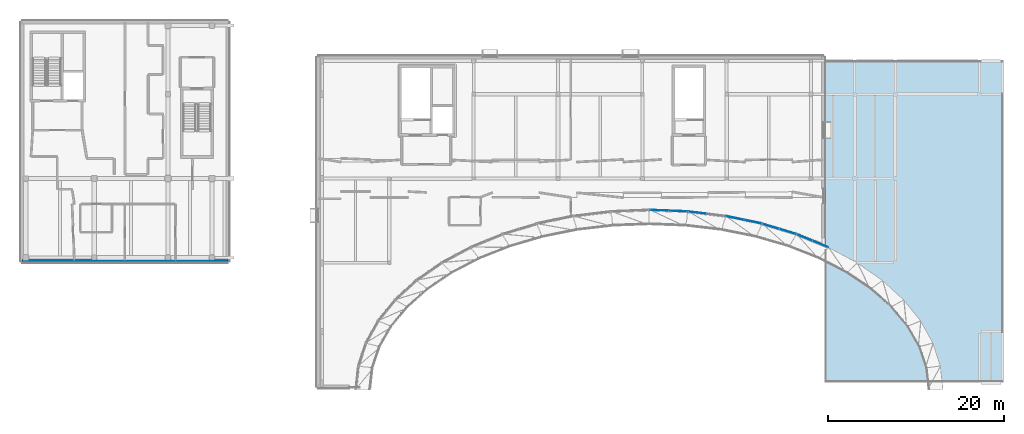
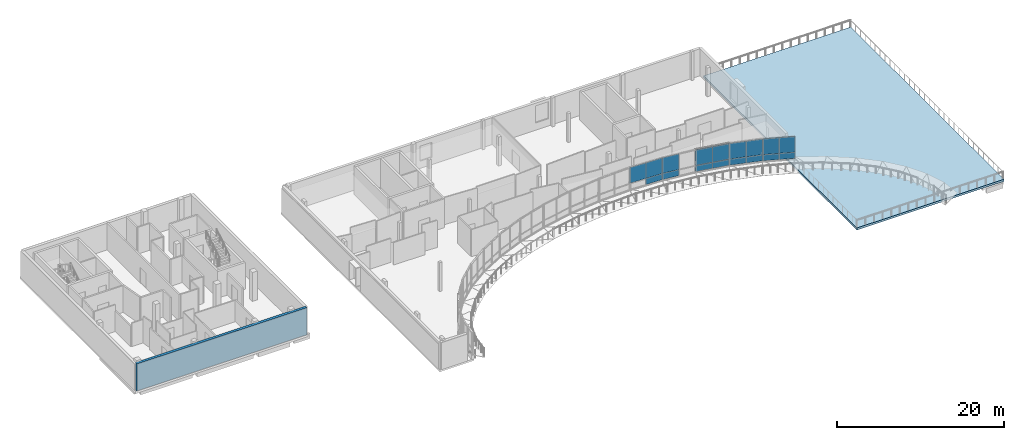
# One storey, part 10 of 18: 17 plates, 1 slab, 1 wall, 5 elements without a shape of their own.
"""IFC4 building model written with IfcOpenShell, lengths in metres."""

from ifc_helpers import new_model, si_unit, direction, frame, frame_2d, origin, origin_2d, place, context, subcontext, project, spatial, polyline, rectangle, outline, extrude, material, layer, layer_set, type_object, element, aggregate, save


model = new_model("IFC4")

# Units and contexts
model_context = context("Model", 3, precision=1e-05, world=origin(), true_north=direction((0.0, 1.0)))
body_context = subcontext(model_context, "Body", "Model", "MODEL_VIEW")
ifc_project = project(units=[si_unit("LENGTHUNIT", "METRE"), si_unit("AREAUNIT", "SQUARE_METRE"), si_unit("VOLUMEUNIT", "CUBIC_METRE"), si_unit("PLANEANGLEUNIT", "RADIAN"), si_unit("MASSUNIT", "GRAM", prefix="KILO")], contexts=[model_context])

# Site, building, storey
site_placement = place(None, origin())
site = spatial("IfcSite", under=ifc_project, at=site_placement, CompositionType="ELEMENT")
building_placement = place(site_placement, origin())
building = spatial("IfcBuilding", under=site, at=building_placement, Name="Mzevani Central Library", CompositionType="ELEMENT")
storey_placement = place(building_placement, frame((0.0, 0.0, 18.300048828125)))
storey = spatial("IfcBuildingStorey", under=building, at=storey_placement, Name="L04", CompositionType="ELEMENT", Elevation=18.300048828125)

# Curtain wall, plates
ifc_material_1 = material(Name="Thermally broken aluminium and Low-E triple glazing", Category="aluminium")
curtain_wall_type_1 = type_object("IfcCurtainWallType", Name="Elliptical Court Unitised Curtain Wall", PredefinedType="NOTDEFINED", material=ifc_material_1)
curtain_wall_1_placement = place(storey_placement, origin())
curtain_wall_1 = element("IfcCurtainWall", 1, at=curtain_wall_1_placement, inside=storey, type_object=curtain_wall_type_1, Name="L04 Elliptical Court Curtain Wall 8", PredefinedType="NOTDEFINED")
ifc_material_2 = material(Name="Thermally broken aluminium AW-6060", Category="aluminium")
ifc_layer_1 = layer(ifc_material_2, 0.0419921875, Name="CW Insulated Spandrel Panel 42")
ifc_layer_set_1 = layer_set([ifc_layer_1], Name="Thermally broken aluminium AW-6060")
plate_type_1 = type_object("IfcPlateType", Name="CW Insulated Spandrel Panel 42", PredefinedType="CURTAIN_PANEL", material=ifc_layer_set_1)
plate_1_placement = place(storey_placement, frame((103.470703125, 92.55078125, 0.719970703125), z_axis=(0.0, 0.0, 1.0), x_axis=(-0.926299293314, 0.376788560345, 0.0)))
plate_1 = element("IfcPlate", 2, at=plate_1_placement, type_object=plate_type_1, Name="L04 Elliptical Court Curtain Wall 8 Spandrel Panel 1", PredefinedType="CURTAIN_PANEL", context=body_context, shape_type="SweptSolid", body=[
    extrude(rectangle(XDim=1.94921875, YDim=0.0419921875, at=origin_2d()), origin(), (0.0, 0.0, 1.0), 0.89990234375),
])
plate_2_placement = place(storey_placement, frame((101.665283203125, 93.285400390625, 0.719970703125), z_axis=(0.0, 0.0, 1.0), x_axis=(-0.926299293314, 0.376788560345, 0.0)))
plate_2 = element("IfcPlate", 3, at=plate_2_placement, type_object=plate_type_1, Name="L04 Elliptical Court Curtain Wall 8 Spandrel Panel 3", PredefinedType="CURTAIN_PANEL", context=body_context, shape_type="SweptSolid", body=[
    extrude(rectangle(XDim=1.94921875, YDim=0.0419921875, at=origin_2d()), origin(), (0.0, 0.0, 1.0), 0.89990234375),
])

curtain_wall_2_placement = place(storey_placement, origin())
curtain_wall_2 = element("IfcCurtainWall", 4, at=curtain_wall_2_placement, inside=storey, type_object=curtain_wall_type_1, Name="L04 Elliptical Court Curtain Wall 9", PredefinedType="NOTDEFINED")
plate_3_placement = place(storey_placement, frame((99.764892578125, 93.967529296875, 0.719970703125), z_axis=(0.0, 0.0, 1.0), x_axis=(-0.957763292964, 0.287557776197, 0.0)))
plate_3 = element("IfcPlate", 5, at=plate_3_placement, type_object=plate_type_1, Name="L04 Elliptical Court Curtain Wall 9 Spandrel Panel 1", PredefinedType="CURTAIN_PANEL", context=body_context, shape_type="SweptSolid", body=[
    extrude(rectangle(XDim=2.033203125, YDim=0.0419921875, at=origin_2d()), origin(), (0.0, 0.0, 1.0), 0.89990234375),
])
plate_4_placement = place(storey_placement, frame((97.8173828125, 94.55224609375, 0.719970703125), z_axis=(0.0, 0.0, 1.0), x_axis=(-0.957763292964, 0.287557776197, 0.0)))
plate_4 = element("IfcPlate", 6, at=plate_4_placement, type_object=plate_type_1, Name="L04 Elliptical Court Curtain Wall 9 Spandrel Panel 3", PredefinedType="CURTAIN_PANEL", context=body_context, shape_type="SweptSolid", body=[
    extrude(rectangle(XDim=2.033203125, YDim=0.0419921875, at=origin_2d()), origin(), (0.0, 0.0, 1.0), 0.89990234375),
])

curtain_wall_type_2 = type_object("IfcCurtainWallType", Name="Reading Hall Northlight Curtain Wall", PredefinedType="NOTDEFINED", material=ifc_material_1)
curtain_wall_3_placement = place(storey_placement, origin())
curtain_wall_3 = element("IfcCurtainWall", 7, at=curtain_wall_3_placement, inside=storey, type_object=curtain_wall_type_2, Name="L04 Elliptical Court Curtain Wall 10", PredefinedType="NOTDEFINED")
plate_5_placement = place(storey_placement, frame((95.7841796875, 95.078369140625, 0.719970703125), z_axis=(0.0, 0.0, 1.0), x_axis=(-0.979308727686, 0.202371974041, 0.0)))
plate_5 = element("IfcPlate", 8, at=plate_5_placement, type_object=plate_type_1, Name="L04 Elliptical Court Curtain Wall 10 Spandrel Panel 1", PredefinedType="CURTAIN_PANEL", context=body_context, shape_type="SweptSolid", body=[
    extrude(rectangle(XDim=2.099609375, YDim=0.0419921875, at=origin_2d()), origin(), (0.0, 0.0, 1.0), 0.89990234375),
])
plate_6_placement = place(storey_placement, frame((93.72802734375, 95.503173828125, 0.719970703125), z_axis=(0.0, 0.0, 1.0), x_axis=(-0.979308727686, 0.202371974041, 0.0)))
plate_6 = element("IfcPlate", 9, at=plate_6_placement, type_object=plate_type_1, Name="L04 Elliptical Court Curtain Wall 10 Spandrel Panel 3", PredefinedType="CURTAIN_PANEL", context=body_context, shape_type="SweptSolid", body=[
    extrude(rectangle(XDim=2.099609375, YDim=0.0419921875, at=origin_2d()), origin(), (0.0, 0.0, 1.0), 0.89990234375),
])

# Curtain wall, plate
curtain_wall_4_placement = place(storey_placement, origin())
curtain_wall_4 = element("IfcCurtainWall", 10, at=curtain_wall_4_placement, inside=storey, type_object=curtain_wall_type_1, Name="L04 Elliptical Court Curtain Wall 11", PredefinedType="NOTDEFINED")
plate_7_placement = place(storey_placement, frame((89.466552734375, 96.11962890625, 0.719970703125), z_axis=(0.0, 0.0, 1.0), x_axis=(-0.99274706406, 0.120221740128, 0.0)))
plate_7 = element("IfcPlate", 11, at=plate_7_placement, type_object=plate_type_1, Name="L04 Elliptical Court Curtain Wall 11 Spandrel Panel 3", PredefinedType="CURTAIN_PANEL", context=body_context, shape_type="SweptSolid", body=[
    extrude(rectangle(XDim=2.145263671875, YDim=0.0419921875, at=origin_2d()), origin(), (0.0, 0.0, 1.0), 0.89990234375),
])

curtain_wall_5_placement = place(storey_placement, origin())
curtain_wall_5 = element("IfcCurtainWall", 12, at=curtain_wall_5_placement, inside=storey, type_object=curtain_wall_type_1, Name="L04 Elliptical Court Curtain Wall 12", PredefinedType="NOTDEFINED")
plate_8_placement = place(storey_placement, frame((87.273681640625, 96.30126953125, 0.719970703125), z_axis=(0.0, 0.0, 1.0), x_axis=(-0.999205006518, 0.039866714796, 0.0)))
plate_8 = element("IfcPlate", 13, at=plate_8_placement, type_object=plate_type_1, Name="L04 Elliptical Court Curtain Wall 12 Spandrel Panel 1", PredefinedType="CURTAIN_PANEL", context=body_context, shape_type="SweptSolid", body=[
    extrude(rectangle(XDim=2.16845703125, YDim=0.0419921875, at=origin_2d()), origin(), (0.0, 0.0, 1.0), 0.89990234375),
])

# Plate
ifc_material_3 = material(Name="Low-E triple glazing glass", Category="glass")
ifc_layer_2 = layer(ifc_material_3, 0.028076171875, Name="CW Triple Glazed Vision Panel 28")
ifc_layer_set_2 = layer_set([ifc_layer_2], Name="Low-E triple glazing glass")
plate_type_2 = type_object("IfcPlateType", Name="CW Triple Glazed Vision Panel 28", PredefinedType="CURTAIN_PANEL", material=ifc_layer_set_2)
plate_9_placement = place(storey_placement, frame((103.470703125, 92.55078125, 1.6201171875), z_axis=(0.0, 0.0, 1.0), x_axis=(-0.926299293314, 0.376788560345, 0.0)))
plate_9 = element("IfcPlate", 14, at=plate_9_placement, type_object=plate_type_2, Name="L04 Elliptical Court Curtain Wall 8 Vision Panel 2", PredefinedType="CURTAIN_PANEL", context=body_context, shape_type="SweptSolid", body=[
    extrude(rectangle(XDim=1.94921875, YDim=0.028076171875, at=origin_2d()), origin(), (0.0, 0.0, 1.0), 2.300048828125),
])

plate_10_placement = place(storey_placement, frame((101.665283203125, 93.285400390625, 1.6201171875), z_axis=(0.0, 0.0, 1.0), x_axis=(-0.926299293314, 0.376788560345, 0.0)))
plate_10 = element("IfcPlate", 15, at=plate_10_placement, type_object=plate_type_2, Name="L04 Elliptical Court Curtain Wall 8 Vision Panel 4", PredefinedType="CURTAIN_PANEL", context=body_context, shape_type="SweptSolid", body=[
    extrude(rectangle(XDim=1.94921875, YDim=0.028076171875, at=origin_2d()), origin(), (0.0, 0.0, 1.0), 2.300048828125),
])

aggregate(curtain_wall_1, [plate_1, plate_9, plate_2, plate_10])

plate_11_placement = place(storey_placement, frame((99.764892578125, 93.967529296875, 1.6201171875), z_axis=(0.0, 0.0, 1.0), x_axis=(-0.957763292964, 0.287557776197, 0.0)))
plate_11 = element("IfcPlate", 16, at=plate_11_placement, type_object=plate_type_2, Name="L04 Elliptical Court Curtain Wall 9 Vision Panel 2", PredefinedType="CURTAIN_PANEL", context=body_context, shape_type="SweptSolid", body=[
    extrude(rectangle(XDim=2.033203125, YDim=0.028076171875, at=origin_2d()), origin(), (0.0, 0.0, 1.0), 2.300048828125),
])

plate_12_placement = place(storey_placement, frame((97.8173828125, 94.55224609375, 1.6201171875), z_axis=(0.0, 0.0, 1.0), x_axis=(-0.957763292964, 0.287557776197, 0.0)))
plate_12 = element("IfcPlate", 17, at=plate_12_placement, type_object=plate_type_2, Name="L04 Elliptical Court Curtain Wall 9 Vision Panel 4", PredefinedType="CURTAIN_PANEL", context=body_context, shape_type="SweptSolid", body=[
    extrude(rectangle(XDim=2.033203125, YDim=0.028076171875, at=origin_2d()), origin(), (0.0, 0.0, 1.0), 2.300048828125),
])

aggregate(curtain_wall_2, [plate_3, plate_11, plate_4, plate_12])

plate_13_placement = place(storey_placement, frame((95.7841796875, 95.078369140625, 1.6201171875), z_axis=(0.0, 0.0, 1.0), x_axis=(-0.979308727686, 0.202371974041, 0.0)))
plate_13 = element("IfcPlate", 18, at=plate_13_placement, type_object=plate_type_2, Name="L04 Elliptical Court Curtain Wall 10 Vision Panel 2", PredefinedType="CURTAIN_PANEL", context=body_context, shape_type="SweptSolid", body=[
    extrude(rectangle(XDim=2.099609375, YDim=0.028076171875, at=origin_2d()), origin(), (0.0, 0.0, 1.0), 2.300048828125),
])

plate_14_placement = place(storey_placement, frame((93.72802734375, 95.503173828125, 1.6201171875), z_axis=(0.0, 0.0, 1.0), x_axis=(-0.979308727686, 0.202371974041, 0.0)))
plate_14 = element("IfcPlate", 19, at=plate_14_placement, type_object=plate_type_2, Name="L04 Elliptical Court Curtain Wall 10 Vision Panel 4", PredefinedType="CURTAIN_PANEL", context=body_context, shape_type="SweptSolid", body=[
    extrude(rectangle(XDim=2.099609375, YDim=0.028076171875, at=origin_2d()), origin(), (0.0, 0.0, 1.0), 2.300048828125),
])

aggregate(curtain_wall_3, [plate_5, plate_13, plate_6, plate_14])

plate_15_placement = place(storey_placement, frame((89.466552734375, 96.11962890625, 1.6201171875), z_axis=(0.0, 0.0, 1.0), x_axis=(-0.99274706406, 0.120221740128, 0.0)))
plate_15 = element("IfcPlate", 20, at=plate_15_placement, type_object=plate_type_2, Name="L04 Elliptical Court Curtain Wall 11 Vision Panel 4", PredefinedType="CURTAIN_PANEL", context=body_context, shape_type="SweptSolid", body=[
    extrude(rectangle(XDim=2.145263671875, YDim=0.028076171875, at=origin_2d()), origin(), (0.0, 0.0, 1.0), 2.300048828125),
])

aggregate(curtain_wall_4, [plate_7, plate_15])

plate_16_placement = place(storey_placement, frame((87.273681640625, 96.30126953125, 1.6201171875), z_axis=(0.0, 0.0, 1.0), x_axis=(-0.999205006518, 0.039866714796, 0.0)))
plate_16 = element("IfcPlate", 21, at=plate_16_placement, type_object=plate_type_2, Name="L04 Elliptical Court Curtain Wall 12 Vision Panel 2", PredefinedType="CURTAIN_PANEL", context=body_context, shape_type="SweptSolid", body=[
    extrude(rectangle(XDim=2.16845703125, YDim=0.028076171875, at=origin_2d()), origin(), (0.0, 0.0, 1.0), 2.300048828125),
])

plate_17_placement = place(storey_placement, frame((85.10693359375, 96.3876953125, 1.6201171875), z_axis=(0.0, 0.0, 1.0), x_axis=(-0.999205006518, 0.039866714796, 0.0)))
plate_17 = element("IfcPlate", 22, at=plate_17_placement, type_object=plate_type_2, Name="L04 Elliptical Court Curtain Wall 12 Vision Panel 4", PredefinedType="CURTAIN_PANEL", context=body_context, shape_type="SweptSolid", body=[
    extrude(rectangle(XDim=2.16845703125, YDim=0.028076171875, at=origin_2d()), origin(), (0.0, 0.0, 1.0), 2.300048828125),
])

aggregate(curtain_wall_5, [plate_8, plate_16, plate_17])

# Slab
ifc_material_4 = material(Name="Concrete C35/45", Category="concrete")
ifc_layer_3 = layer(ifc_material_4, 0.300048828125, Name="Planted Roof Garden Slab 300")
ifc_layer_set_3 = layer_set([ifc_layer_3], Name="Concrete C35/45")
slab_type = type_object("IfcSlabType", Name="Planted Roof Garden Slab 300", PredefinedType="FLOOR", material=ifc_layer_set_3)
slab_placement = place(storey_placement, frame((0.0, 0.0, -0.300048828125)))
element("IfcSlab", 23, at=slab_placement, inside=storey, type_object=slab_type, Name="L04 Atrium Terrace Planted Roof Garden", PredefinedType="FLOOR", context=body_context, shape_type="SweptSolid", body=[
    extrude(outline(polyline([(104.0, 76.800048828125), (104.0, 113.39990234375), (124.300048828125, 113.39990234375), (124.300048828125, 76.800048828125), (104.0, 76.800048828125)])), origin(), (0.0, 0.0, 1.0), 0.300048828125),
])

# Wall
ifc_material_5 = material(Name="Precast concrete C40/50", Category="concrete")
ifc_layer_4 = layer(ifc_material_5, 0.3798828125, Name="Exterior Thermal Concrete Wall 380")
ifc_layer_set_4 = layer_set([ifc_layer_4], Name="Precast concrete C40/50")
wall_type = type_object("IfcWallType", Name="Exterior Thermal Concrete Wall 380", PredefinedType="STANDARD", material=ifc_layer_set_4)
wall_placement = place(storey_placement, frame((36.010009765625, 90.590087890625, 0.0), z_axis=(0.0, 0.0, 1.0), x_axis=(-1.0, 0.0, 0.0)))
element("IfcWall", 24, at=wall_placement, inside=storey, type_object=wall_type, Name="L04 V2 Exterior Thermal Wall (32)", PredefinedType="STANDARD", context=body_context, shape_type="SweptSolid", body=[
    extrude(rectangle(XDim=23.419921875, YDim=0.3798828125, at=frame_2d((11.7099609375, 0.0))), origin(), (0.0, 0.0, 1.0), 3.93994140625),
])

save(model, "model.ifc")
